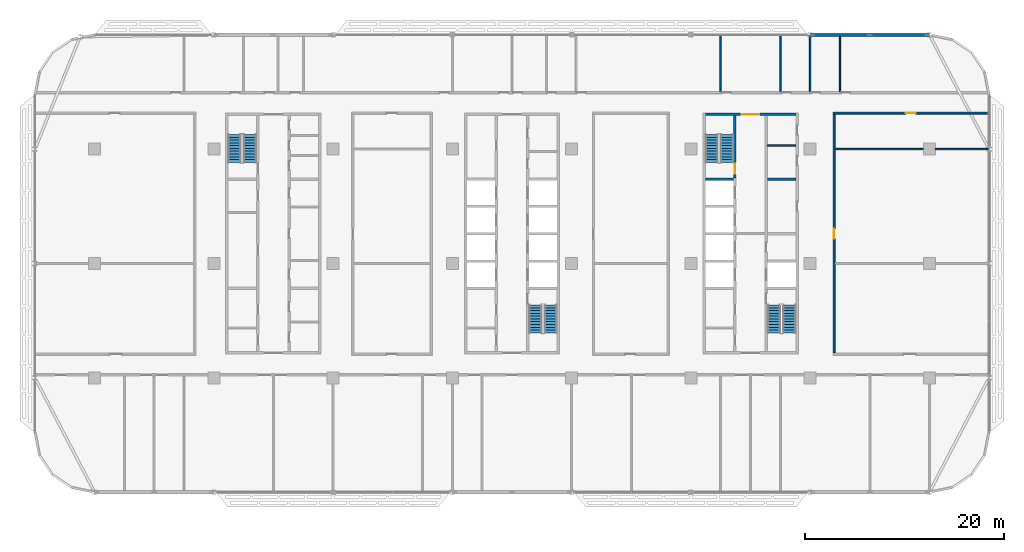
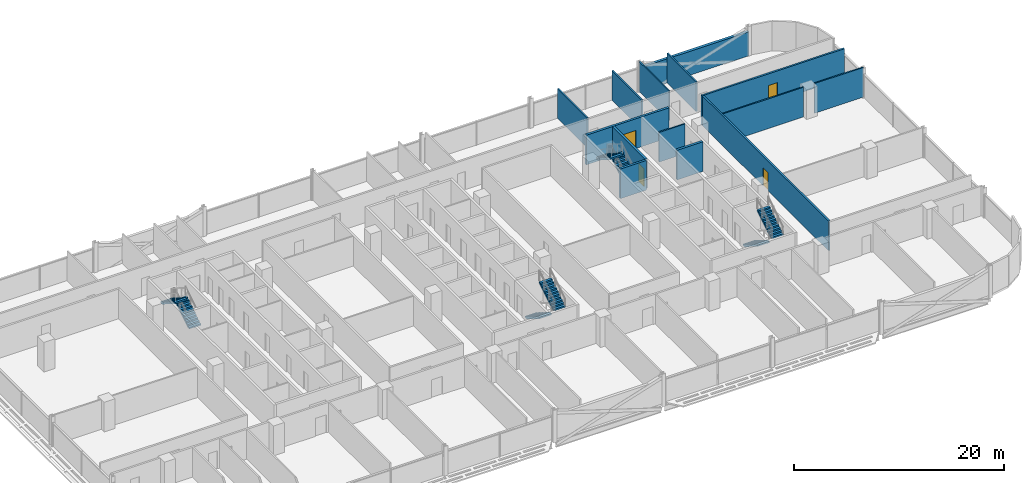
# One storey, part 16 of 27: 14 walls, 8 stair flights, 4 doors, 4 openings, 4 elements without a shape of their own.
"""IFC4 building model written with IfcOpenShell, lengths in metres."""

from ifc_helpers import new_model, si_unit, direction, frame, frame_2d, origin, place, context, subcontext, project, spatial, polyline, rectangle, outline, extrude, material, layer, layer_set, type_object, element, fill, aggregate, save


model = new_model("IFC4")

# Units and contexts
model_context = context("Model", 3, precision=1e-05, world=origin(), true_north=direction((0.0, 1.0)))
body_context = subcontext(model_context, "Body", "Model", "MODEL_VIEW")
ifc_project = project(units=[si_unit("LENGTHUNIT", "METRE"), si_unit("AREAUNIT", "SQUARE_METRE"), si_unit("VOLUMEUNIT", "CUBIC_METRE"), si_unit("PLANEANGLEUNIT", "RADIAN"), si_unit("MASSUNIT", "GRAM", prefix="KILO")], contexts=[model_context])

# Site, building, storey
site_placement = place(None, origin())
site = spatial("IfcSite", under=ifc_project, at=site_placement, CompositionType="ELEMENT")
building_placement = place(site_placement, origin())
building = spatial("IfcBuilding", under=site, at=building_placement, Name="Mahtab Terrace Research Tower", CompositionType="ELEMENT")
storey_placement = place(building_placement, frame((0.0, 0.0, 178.199951171875)))
storey = spatial("IfcBuildingStorey", under=building, at=storey_placement, Name="L42", CompositionType="ELEMENT", Elevation=178.199951171875)

# Wall
ifc_material_1 = material(Name="Gypsum board partition")
ifc_layer_1 = layer(ifc_material_1, 0.14990234375)
ifc_layer_set_1 = layer_set([ifc_layer_1], Name="Core partition 150")
wall_type_1 = type_object("IfcWallType", Name="Core partition 150", PredefinedType="PARTITIONING", material=ifc_layer_set_1)
wall_1_placement = place(storey_placement, frame((25.699951171875, 11.875, 0.0), z_axis=(0.0, 0.0, 1.0), x_axis=(1.0, 0.0, 0.0)))
element("IfcWall", 1, at=wall_1_placement, inside=storey, type_object=wall_type_1, Name="Core wall C pEN888", PredefinedType="PARTITIONING", context=body_context, shape_type="SweptSolid", body=[
    extrude(rectangle(XDim=2.85009765625, YDim=0.14990234375, at=frame_2d((1.425048828125, 0.0))), origin(), (0.0, 0.0, 1.0), 3.4599609375),
])

# Wall, opening, door
ifc_material_2 = material(Name="Concrete C70/85", Category="concrete")
ifc_layer_2 = layer(ifc_material_2, 0.25)
ifc_layer_set_2 = layer_set([ifc_layer_2], Name="Core wall 250")
wall_type_2 = type_object("IfcWallType", Name="Core wall 250", PredefinedType="SOLIDWALL", material=ifc_layer_set_2)
wall_2_placement = place(storey_placement, frame((19.449951171875, 15.0, 0.0), z_axis=(0.0, 0.0, 1.0), x_axis=(1.0, 0.0, 0.0)))
wall_2 = element("IfcWall", 2, at=wall_2_placement, inside=storey, type_object=wall_type_2, Name="Core wall C endN", PredefinedType="SOLIDWALL", context=body_context, shape_type="SweptSolid", body=[
    extrude(rectangle(XDim=9.10009765625, YDim=0.25, at=frame_2d((4.550048828125, 0.0))), origin(), (0.0, 0.0, 1.0), 3.4599609375),
])
opening_1_placement = place(wall_2_placement, frame((3.64990234375, 0.0, 0.0)))
opening_1 = element("IfcOpeningElement", 3, at=opening_1_placement, cuts=wall_2, Name="Opening C-N1", PredefinedType="OPENING", context=body_context, shape_type="SweptSolid", body=[
    extrude(rectangle(XDim=1.800048828125, YDim=2.10009765625, at=frame_2d((0.89990234375, 1.050048828125))), frame((0.0, 0.135009765625, 0.0), z_axis=(0.0, -1.0, 0.0), x_axis=(1.0, 0.0, 0.0)), (0.0, 0.0, 1.0), 0.27001953125),
])
ifc_material_3 = material(Name="Steel fire door", Category="steel")
door_type_1 = type_object("IfcDoorType", Name="Lobby double door 1800x2100 1 HR", OperationType="DOUBLE_DOOR_SINGLE_SWING", PredefinedType="DOOR", material=ifc_material_3)
door_1_placement = place(opening_1_placement, origin())
door_1 = element("IfcDoor", 4, at=door_1_placement, inside=storey, type_object=door_type_1, Name="Core entrance door C N", OperationType="DOUBLE_DOOR_SINGLE_SWING", OverallHeight=2.10009765625, OverallWidth=1.800048828125, PredefinedType="DOOR", context=body_context, shape_type="SweptSolid", body=[
    extrude(rectangle(XDim=1.800048828125, YDim=2.10009765625, at=frame_2d((0.89990234375, 1.050048828125))), frame((0.0, 0.02490234375, 0.0), z_axis=(0.0, -1.0, 0.0), x_axis=(1.0, 0.0, 0.0)), (0.0, 0.0, 1.0), 0.050048828125),
])
fill(opening_1, door_1)

wall_3_placement = place(storey_placement, frame((22.425048828125, 14.875, 0.0), z_axis=(0.0, 0.0, 1.0), x_axis=(0.0, -1.0, 0.0)))
wall_3 = element("IfcWall", 5, at=wall_3_placement, inside=storey, type_object=wall_type_2, Name="Core wall C innerWN", PredefinedType="SOLIDWALL", context=body_context, shape_type="SweptSolid", body=[
    extrude(rectangle(XDim=6.25, YDim=0.25, at=frame_2d((3.125, 0.0))), origin(), (0.0, 0.0, 1.0), 3.4599609375),
])
opening_2_placement = place(wall_3_placement, frame((4.85009765625, 0.0, 0.0)))
opening_2 = element("IfcOpeningElement", 6, at=opening_2_placement, cuts=wall_3, Name="Opening C-ST3", PredefinedType="OPENING", context=body_context, shape_type="SweptSolid", body=[
    extrude(rectangle(XDim=1.0, YDim=2.10009765625, at=frame_2d((0.5, 1.050048828125))), frame((0.0, 0.135009765625, 0.0), z_axis=(0.0, -1.0, 0.0), x_axis=(1.0, 0.0, 0.0)), (0.0, 0.0, 1.0), 0.27001953125),
])
door_type_2 = type_object("IfcDoorType", Name="Stair door 1000x2100 1.5 HR", OperationType="NOTDEFINED", PredefinedType="DOOR", material=ifc_material_3)
door_2_placement = place(opening_2_placement, origin())
door_2 = element("IfcDoor", 7, at=door_2_placement, inside=storey, type_object=door_type_2, Name="Stair door ST3 L42", OperationType="SINGLE_SWING_LEFT", OverallHeight=2.10009765625, OverallWidth=1.0, PredefinedType="DOOR", context=body_context, shape_type="SweptSolid", body=[
    extrude(rectangle(XDim=1.0, YDim=2.10009765625, at=frame_2d((0.5, 1.050048828125))), frame((0.0, 0.02490234375, 0.0), z_axis=(0.0, -1.0, 0.0), x_axis=(1.0, 0.0, 0.0)), (0.0, 0.0, 1.0), 0.050048828125),
])
fill(opening_2, door_2)

# Walls
for number, where, z_axis, x_axis, name in (
    (8, (19.449951171875, 8.5, 0.0), (0.0, 0.0, 1.0), (1.0, 0.0, 0.0), "Core wall C divW4"),
    (9, (25.699951171875, 8.5, 0.0), (0.0, 0.0, 1.0), (1.0, 0.0, 0.0), "Core wall C divE4"),
):
    element("IfcWall", number, at=place(storey_placement, frame(where, z_axis=z_axis, x_axis=x_axis)), inside=storey, type_object=wall_type_2, Name=name, PredefinedType="SOLIDWALL", context=body_context, shape_type="SweptSolid", body=[
        extrude(rectangle(XDim=2.85009765625, YDim=0.25, at=frame_2d((1.425048828125, 0.0))), origin(), (0.0, 0.0, 1.0), 3.4599609375),
    ])
ifc_material_4 = material(Name="Black aluminium cladding panel", Category="aluminium")
ifc_layer_3 = layer(ifc_material_4, 0.300048828125)
ifc_layer_set_3 = layer_set([ifc_layer_3], Name="Opaque facade wall 300")
wall_type_3 = type_object("IfcWallType", Name="Opaque facade wall 300", PredefinedType="NOTDEFINED", material=ifc_layer_set_3)
wall_4_placement = place(storey_placement, frame((41.985107421875, 23.0, 0.0), z_axis=(0.0, 0.0, 1.0), x_axis=(-1.0, 0.0, 0.0)))
element("IfcWall", 10, at=wall_4_placement, inside=storey, type_object=wall_type_3, Name="Opaque facade wall L42 N3", PredefinedType="NOTDEFINED", context=body_context, shape_type="SweptSolid", body=[
    extrude(rectangle(XDim=11.97021484375, YDim=0.300048828125, at=frame_2d((5.985107421875, 0.0))), origin(), (0.0, 0.0, 1.0), 2.78173828125),
])

# Wall, opening, door
ifc_material_5 = material(Name="Gypsum board corridor wall on steel studs", Category="steel")
ifc_layer_4 = layer(ifc_material_5, 0.199951171875)
ifc_layer_set_4 = layer_set([ifc_layer_4], Name="WALL CORRIDOR 200")
wall_type_4 = type_object("IfcWallType", Name="WALL CORRIDOR 200", PredefinedType="PARTITIONING", material=ifc_layer_set_4)
wall_5_placement = place(storey_placement, frame((32.300048828125, 15.125, 0.0), z_axis=(0.0, 0.0, 1.0), x_axis=(1.0, 0.0, 0.0)))
wall_5 = element("IfcWall", 11, at=wall_5_placement, inside=storey, type_object=wall_type_4, Name="L42-W026", PredefinedType="PARTITIONING", context=body_context, shape_type="SweptSolid", body=[
    extrude(rectangle(XDim=15.675048828125, YDim=0.199951171875, at=frame_2d((7.83740234375, 0.0))), origin(), (0.0, 0.0, 1.0), 3.4599609375),
])
opening_3_placement = place(wall_5_placement, frame((7.300048828125, 0.0, 0.0)))
opening_3 = element("IfcOpeningElement", 12, at=opening_3_placement, cuts=wall_5, Name="Opening L42-126", PredefinedType="OPENING", context=body_context, shape_type="SweptSolid", body=[
    extrude(rectangle(XDim=1.0, YDim=2.10009765625, at=frame_2d((0.5, 1.050048828125))), frame((0.0, 0.10986328125, 0.0), z_axis=(0.0, -1.0, 0.0), x_axis=(1.0, 0.0, 0.0)), (0.0, 0.0, 1.0), 0.219970703125),
])
ifc_material_6 = material(Name="Timber door leaf in steel frame", Category="steel")
door_type_3 = type_object("IfcDoorType", Name="DOOR 1000X2100 FD30S", OperationType="SINGLE_SWING_LEFT", PredefinedType="DOOR", material=ifc_material_6)
door_3_placement = place(opening_3_placement, origin())
door_3 = element("IfcDoor", 13, at=door_3_placement, inside=storey, type_object=door_type_3, Name="Door L42-126", OperationType="SINGLE_SWING_LEFT", OverallHeight=2.10009765625, OverallWidth=1.0, PredefinedType="DOOR", context=body_context, shape_type="SweptSolid", body=[
    extrude(rectangle(XDim=1.0, YDim=2.10009765625, at=frame_2d((0.5, 1.050048828125))), frame((0.0, 0.02490234375, 0.0), z_axis=(0.0, -1.0, 0.0), x_axis=(1.0, 0.0, 0.0)), (0.0, 0.0, 1.0), 0.050048828125),
])
fill(opening_3, door_3)

wall_6_placement = place(storey_placement, frame((32.39990234375, -9.02490234375, 0.0), z_axis=(0.0, 0.0, 1.0), x_axis=(0.0, 1.0, 0.0)))
wall_6 = element("IfcWall", 14, at=wall_6_placement, inside=storey, type_object=wall_type_4, Name="L42-W057", PredefinedType="PARTITIONING", context=body_context, shape_type="SweptSolid", body=[
    extrude(rectangle(XDim=24.0498046875, YDim=0.199951171875, at=frame_2d((12.02490234375, 0.0))), origin(), (0.0, 0.0, 1.0), 3.4599609375),
])
opening_4_placement = place(wall_6_placement, frame((11.5, 0.0, 0.0)))
opening_4 = element("IfcOpeningElement", 15, at=opening_4_placement, cuts=wall_6, Name="Opening L42-122", PredefinedType="OPENING", context=body_context, shape_type="SweptSolid", body=[
    extrude(rectangle(XDim=1.0, YDim=2.10009765625, at=frame_2d((0.5, 1.050048828125))), frame((0.0, 0.10986328125, 0.0), z_axis=(0.0, -1.0, 0.0), x_axis=(1.0, 0.0, 0.0)), (0.0, 0.0, 1.0), 0.219970703125),
])
door_4_placement = place(opening_4_placement, origin())
door_4 = element("IfcDoor", 16, at=door_4_placement, inside=storey, type_object=door_type_3, Name="Door L42-122", OperationType="SINGLE_SWING_RIGHT", OverallHeight=2.10009765625, OverallWidth=1.0, PredefinedType="DOOR", context=body_context, shape_type="SweptSolid", body=[
    extrude(rectangle(XDim=1.0, YDim=2.10009765625, at=frame_2d((0.5, 1.050048828125))), frame((0.0, 0.02490234375, 0.0), z_axis=(0.0, -1.0, 0.0), x_axis=(1.0, 0.0, 0.0)), (0.0, 0.0, 1.0), 0.050048828125),
])
fill(opening_4, door_4)

# Walls
ifc_material_7 = material(Name="Gypsum board partition on steel studs", Category="steel")
ifc_layer_5 = layer(ifc_material_7, 0.14990234375)
ifc_layer_set_5 = layer_set([ifc_layer_5], Name="WALL PARTITION 150")
wall_type_5 = type_object("IfcWallType", Name="WALL PARTITION 150", PredefinedType="PARTITIONING", material=ifc_layer_set_5)
wall_7_placement = place(storey_placement, frame((32.5, 11.5, 0.0), z_axis=(0.0, 0.0, 1.0), x_axis=(1.0, 0.0, 0.0)))
element("IfcWall", 17, at=wall_7_placement, inside=storey, type_object=wall_type_5, Name="L42-W021", PredefinedType="PARTITIONING", context=body_context, shape_type="SweptSolid", body=[
    extrude(rectangle(XDim=8.89990234375, YDim=0.14990234375, at=frame_2d((4.449951171875, 0.0))), origin(), (0.0, 0.0, 1.0), 3.4599609375),
])
wall_8_placement = place(storey_placement, frame((42.60009765625, 11.5, 0.0), z_axis=(0.0, 0.0, 1.0), x_axis=(1.0, 0.0, 0.0)))
element("IfcWall", 18, at=wall_8_placement, inside=storey, type_object=wall_type_5, Name="L42-W022", PredefinedType="PARTITIONING", context=body_context, shape_type="SweptSolid", body=[
    extrude(rectangle(XDim=5.375, YDim=0.14990234375, at=frame_2d((2.6875, 0.0))), origin(), (0.0, 0.0, 1.0), 3.4599609375),
])
for number, where, z_axis, x_axis, name in (
    (19, (21.0, 17.300048828125, 0.0), (0.0, 0.0, 1.0), (0.0, 1.0, 0.0), "L42-W052"),
    (20, (27.0, 17.300048828125, 0.0), (0.0, 0.0, 1.0), (0.0, 1.0, 0.0), "L42-W055"),
    (21, (30.0, 17.300048828125, 0.0), (0.0, 0.0, 1.0), (0.0, 1.0, 0.0), "L42-W056"),
):
    element("IfcWall", number, at=place(storey_placement, frame(where, z_axis=z_axis, x_axis=x_axis)), inside=storey, type_object=wall_type_5, Name=name, PredefinedType="PARTITIONING", context=body_context, shape_type="SweptSolid", body=[
        extrude(rectangle(XDim=5.675048828125, YDim=0.14990234375, at=frame_2d((2.83740234375, 0.0))), origin(), (0.0, 0.0, 1.0), 3.4599609375),
    ])
wall_9_placement = place(storey_placement, frame((33.0, 17.300048828125, 0.0), z_axis=(0.0, 0.0, 1.0), x_axis=(0.0, 1.0, 0.0)))
element("IfcWall", 22, at=wall_9_placement, inside=storey, type_object=wall_type_5, Name="L42-W058", PredefinedType="PARTITIONING", context=body_context, shape_type="SweptSolid", body=[
    extrude(rectangle(XDim=5.550048828125, YDim=0.14990234375, at=frame_2d((2.77490234375, 0.0))), origin(), (0.0, 0.0, 1.0), 3.4599609375),
])

# Stair, stair flights
ifc_material_8 = material(Name="Exit stair half-turn")
stair_type = type_object("IfcStairType", Name="Exit stair half-turn", PredefinedType="HALF_TURN_STAIR", material=ifc_material_8)
stair_1_placement = place(storey_placement, origin())
stair_1 = element("IfcStair", 23, at=stair_1_placement, inside=storey, type_object=stair_type, Name="L42 Protected exit stair ST1", PredefinedType="HALF_TURN_STAIR")
ifc_material_9 = material(Name="Concrete C40/50", Category="concrete")
stair_flight_type = type_object("IfcStairFlightType", Name="Exit stair flight 1300", PredefinedType="STRAIGHT", material=ifc_material_9)
stair_flight_1_placement = place(storey_placement, frame((-26.35009765625, 10.175048828125, 0.0), z_axis=(0.0, 0.0, 1.0), x_axis=(0.0, 1.0, 0.0)))
stair_flight_1 = element("IfcStairFlight", 24, at=stair_flight_1_placement, type_object=stair_flight_type, Name="ST1 flight 1", NumberOfRisers=11, NumberOfTreads=10, PredefinedType="STRAIGHT", RiserHeight=0.172727273, TreadLength=0.28, context=body_context, shape_type="SweptSolid", body=[
    extrude(outline(polyline([(0.0, 0.0), (0.0, 0.172607421875), (0.280029296875, 0.172607421875), (0.280029296875, 0.345458984375), (0.56005859375, 0.345458984375), (0.56005859375, 0.51806640625), (0.840087890625, 0.51806640625), (0.840087890625, 0.69091796875), (1.1201171875, 0.69091796875), (1.1201171875, 0.863525390625), (1.39990234375, 0.863525390625), (1.39990234375, 1.036376953125), (1.679931640625, 1.036376953125), (1.679931640625, 1.208984375), (1.9599609375, 1.208984375), (1.9599609375, 1.3818359375), (2.239990234375, 1.3818359375), (2.239990234375, 1.554443359375), (2.52001953125, 1.554443359375), (2.52001953125, 1.727294921875), (2.800048828125, 1.727294921875), (2.800048828125, 1.89990234375), (2.800048828125, 1.551025390625), (0.285400390625, 0.0), (0.0, 0.0)])), frame((0.0, 0.64990234375, 0.0), z_axis=(0.0, -1.0, 0.0), x_axis=(1.0, 0.0, 0.0)), (0.0, 0.0, 1.0), 1.300048828125),
])
stair_flight_2_placement = place(storey_placement, frame((-27.89990234375, 12.97509765625, 1.900146484375), z_axis=(0.0, 0.0, 1.0), x_axis=(0.0, -1.0, 0.0)))
stair_flight_2 = element("IfcStairFlight", 25, at=stair_flight_2_placement, type_object=stair_flight_type, Name="ST1 flight 2", NumberOfRisers=11, NumberOfTreads=10, PredefinedType="STRAIGHT", RiserHeight=0.172727273, TreadLength=0.28, context=body_context, shape_type="SweptSolid", body=[
    extrude(outline(polyline([(0.0, 0.0), (0.0, 0.172607421875), (0.280029296875, 0.172607421875), (0.280029296875, 0.345458984375), (0.56005859375, 0.345458984375), (0.56005859375, 0.51806640625), (0.840087890625, 0.51806640625), (0.840087890625, 0.69091796875), (1.1201171875, 0.69091796875), (1.1201171875, 0.863525390625), (1.39990234375, 0.863525390625), (1.39990234375, 1.036376953125), (1.679931640625, 1.036376953125), (1.679931640625, 1.208984375), (1.9599609375, 1.208984375), (1.9599609375, 1.3818359375), (2.239990234375, 1.3818359375), (2.239990234375, 1.554443359375), (2.52001953125, 1.554443359375), (2.52001953125, 1.727294921875), (2.800048828125, 1.727294921875), (2.800048828125, 1.89990234375), (2.800048828125, 1.551025390625), (0.285400390625, 0.0), (0.0, 0.0)])), frame((0.0, 0.64990234375, 0.0), z_axis=(0.0, -1.0, 0.0), x_axis=(1.0, 0.0, 0.0)), (0.0, 0.0, 1.0), 1.300048828125),
])
aggregate(stair_1, [stair_flight_1, stair_flight_2])

stair_2_placement = place(storey_placement, origin())
stair_2 = element("IfcStair", 26, at=stair_2_placement, inside=storey, type_object=stair_type, Name="L42 Protected exit stair ST2", PredefinedType="HALF_TURN_STAIR")
stair_flight_3_placement = place(storey_placement, frame((2.35009765625, -4.175048828125, 0.0), z_axis=(0.0, 0.0, 1.0), x_axis=(0.0, -1.0, 0.0)))
stair_flight_3 = element("IfcStairFlight", 27, at=stair_flight_3_placement, type_object=stair_flight_type, Name="ST2 flight 1", NumberOfRisers=11, NumberOfTreads=10, PredefinedType="STRAIGHT", RiserHeight=0.172727273, TreadLength=0.28, context=body_context, shape_type="SweptSolid", body=[
    extrude(outline(polyline([(0.0, 0.0), (0.0, 0.172607421875), (0.280029296875, 0.172607421875), (0.280029296875, 0.345458984375), (0.56005859375, 0.345458984375), (0.56005859375, 0.51806640625), (0.840087890625, 0.51806640625), (0.840087890625, 0.69091796875), (1.1201171875, 0.69091796875), (1.1201171875, 0.863525390625), (1.39990234375, 0.863525390625), (1.39990234375, 1.036376953125), (1.679931640625, 1.036376953125), (1.679931640625, 1.208984375), (1.9599609375, 1.208984375), (1.9599609375, 1.3818359375), (2.239990234375, 1.3818359375), (2.239990234375, 1.554443359375), (2.52001953125, 1.554443359375), (2.52001953125, 1.727294921875), (2.800048828125, 1.727294921875), (2.800048828125, 1.89990234375), (2.800048828125, 1.551025390625), (0.285400390625, 0.0), (0.0, 0.0)])), frame((0.0, 0.64990234375, 0.0), z_axis=(0.0, -1.0, 0.0), x_axis=(1.0, 0.0, 0.0)), (0.0, 0.0, 1.0), 1.300048828125),
])
stair_flight_4_placement = place(storey_placement, frame((3.89990234375, -6.97509765625, 1.900146484375), z_axis=(0.0, 0.0, 1.0), x_axis=(0.0, 1.0, 0.0)))
stair_flight_4 = element("IfcStairFlight", 28, at=stair_flight_4_placement, type_object=stair_flight_type, Name="ST2 flight 2", NumberOfRisers=11, NumberOfTreads=10, PredefinedType="STRAIGHT", RiserHeight=0.172727273, TreadLength=0.28, context=body_context, shape_type="SweptSolid", body=[
    extrude(outline(polyline([(0.0, 0.0), (0.0, 0.172607421875), (0.280029296875, 0.172607421875), (0.280029296875, 0.345458984375), (0.56005859375, 0.345458984375), (0.56005859375, 0.51806640625), (0.840087890625, 0.51806640625), (0.840087890625, 0.69091796875), (1.1201171875, 0.69091796875), (1.1201171875, 0.863525390625), (1.39990234375, 0.863525390625), (1.39990234375, 1.036376953125), (1.679931640625, 1.036376953125), (1.679931640625, 1.208984375), (1.9599609375, 1.208984375), (1.9599609375, 1.3818359375), (2.239990234375, 1.3818359375), (2.239990234375, 1.554443359375), (2.52001953125, 1.554443359375), (2.52001953125, 1.727294921875), (2.800048828125, 1.727294921875), (2.800048828125, 1.89990234375), (2.800048828125, 1.551025390625), (0.285400390625, 0.0), (0.0, 0.0)])), frame((0.0, 0.64990234375, 0.0), z_axis=(0.0, -1.0, 0.0), x_axis=(1.0, 0.0, 0.0)), (0.0, 0.0, 1.0), 1.300048828125),
])
aggregate(stair_2, [stair_flight_3, stair_flight_4])

stair_3_placement = place(storey_placement, origin())
stair_3 = element("IfcStair", 29, at=stair_3_placement, inside=storey, type_object=stair_type, Name="L42 Protected exit stair ST3", PredefinedType="HALF_TURN_STAIR")
stair_flight_5_placement = place(storey_placement, frame((21.64990234375, 10.175048828125, 0.0), z_axis=(0.0, 0.0, 1.0), x_axis=(0.0, 1.0, 0.0)))
stair_flight_5 = element("IfcStairFlight", 30, at=stair_flight_5_placement, type_object=stair_flight_type, Name="ST3 flight 1", NumberOfRisers=11, NumberOfTreads=10, PredefinedType="STRAIGHT", RiserHeight=0.172727273, TreadLength=0.28, context=body_context, shape_type="SweptSolid", body=[
    extrude(outline(polyline([(0.0, 0.0), (0.0, 0.172607421875), (0.280029296875, 0.172607421875), (0.280029296875, 0.345458984375), (0.56005859375, 0.345458984375), (0.56005859375, 0.51806640625), (0.840087890625, 0.51806640625), (0.840087890625, 0.69091796875), (1.1201171875, 0.69091796875), (1.1201171875, 0.863525390625), (1.39990234375, 0.863525390625), (1.39990234375, 1.036376953125), (1.679931640625, 1.036376953125), (1.679931640625, 1.208984375), (1.9599609375, 1.208984375), (1.9599609375, 1.3818359375), (2.239990234375, 1.3818359375), (2.239990234375, 1.554443359375), (2.52001953125, 1.554443359375), (2.52001953125, 1.727294921875), (2.800048828125, 1.727294921875), (2.800048828125, 1.89990234375), (2.800048828125, 1.551025390625), (0.285400390625, 0.0), (0.0, 0.0)])), frame((0.0, 0.64990234375, 0.0), z_axis=(0.0, -1.0, 0.0), x_axis=(1.0, 0.0, 0.0)), (0.0, 0.0, 1.0), 1.300048828125),
])
stair_flight_6_placement = place(storey_placement, frame((20.10009765625, 12.97509765625, 1.900146484375), z_axis=(0.0, 0.0, 1.0), x_axis=(0.0, -1.0, 0.0)))
stair_flight_6 = element("IfcStairFlight", 31, at=stair_flight_6_placement, type_object=stair_flight_type, Name="ST3 flight 2", NumberOfRisers=11, NumberOfTreads=10, PredefinedType="STRAIGHT", RiserHeight=0.172727273, TreadLength=0.28, context=body_context, shape_type="SweptSolid", body=[
    extrude(outline(polyline([(0.0, 0.0), (0.0, 0.172607421875), (0.280029296875, 0.172607421875), (0.280029296875, 0.345458984375), (0.56005859375, 0.345458984375), (0.56005859375, 0.51806640625), (0.840087890625, 0.51806640625), (0.840087890625, 0.69091796875), (1.1201171875, 0.69091796875), (1.1201171875, 0.863525390625), (1.39990234375, 0.863525390625), (1.39990234375, 1.036376953125), (1.679931640625, 1.036376953125), (1.679931640625, 1.208984375), (1.9599609375, 1.208984375), (1.9599609375, 1.3818359375), (2.239990234375, 1.3818359375), (2.239990234375, 1.554443359375), (2.52001953125, 1.554443359375), (2.52001953125, 1.727294921875), (2.800048828125, 1.727294921875), (2.800048828125, 1.89990234375), (2.800048828125, 1.551025390625), (0.285400390625, 0.0), (0.0, 0.0)])), frame((0.0, 0.64990234375, 0.0), z_axis=(0.0, -1.0, 0.0), x_axis=(1.0, 0.0, 0.0)), (0.0, 0.0, 1.0), 1.300048828125),
])
aggregate(stair_3, [stair_flight_5, stair_flight_6])

stair_4_placement = place(storey_placement, origin())
stair_4 = element("IfcStair", 32, at=stair_4_placement, inside=storey, type_object=stair_type, Name="L42 Protected exit stair ST4", PredefinedType="HALF_TURN_STAIR")
stair_flight_7_placement = place(storey_placement, frame((26.35009765625, -4.175048828125, 0.0), z_axis=(0.0, 0.0, 1.0), x_axis=(0.0, -1.0, 0.0)))
stair_flight_7 = element("IfcStairFlight", 33, at=stair_flight_7_placement, type_object=stair_flight_type, Name="ST4 flight 1", NumberOfRisers=11, NumberOfTreads=10, PredefinedType="STRAIGHT", RiserHeight=0.172727273, TreadLength=0.28, context=body_context, shape_type="SweptSolid", body=[
    extrude(outline(polyline([(0.0, 0.0), (0.0, 0.172607421875), (0.280029296875, 0.172607421875), (0.280029296875, 0.345458984375), (0.56005859375, 0.345458984375), (0.56005859375, 0.51806640625), (0.840087890625, 0.51806640625), (0.840087890625, 0.69091796875), (1.1201171875, 0.69091796875), (1.1201171875, 0.863525390625), (1.39990234375, 0.863525390625), (1.39990234375, 1.036376953125), (1.679931640625, 1.036376953125), (1.679931640625, 1.208984375), (1.9599609375, 1.208984375), (1.9599609375, 1.3818359375), (2.239990234375, 1.3818359375), (2.239990234375, 1.554443359375), (2.52001953125, 1.554443359375), (2.52001953125, 1.727294921875), (2.800048828125, 1.727294921875), (2.800048828125, 1.89990234375), (2.800048828125, 1.551025390625), (0.285400390625, 0.0), (0.0, 0.0)])), frame((0.0, 0.64990234375, 0.0), z_axis=(0.0, -1.0, 0.0), x_axis=(1.0, 0.0, 0.0)), (0.0, 0.0, 1.0), 1.300048828125),
])
stair_flight_8_placement = place(storey_placement, frame((27.89990234375, -6.97509765625, 1.900146484375), z_axis=(0.0, 0.0, 1.0), x_axis=(0.0, 1.0, 0.0)))
stair_flight_8 = element("IfcStairFlight", 34, at=stair_flight_8_placement, type_object=stair_flight_type, Name="ST4 flight 2", NumberOfRisers=11, NumberOfTreads=10, PredefinedType="STRAIGHT", RiserHeight=0.172727273, TreadLength=0.28, context=body_context, shape_type="SweptSolid", body=[
    extrude(outline(polyline([(0.0, 0.0), (0.0, 0.172607421875), (0.280029296875, 0.172607421875), (0.280029296875, 0.345458984375), (0.56005859375, 0.345458984375), (0.56005859375, 0.51806640625), (0.840087890625, 0.51806640625), (0.840087890625, 0.69091796875), (1.1201171875, 0.69091796875), (1.1201171875, 0.863525390625), (1.39990234375, 0.863525390625), (1.39990234375, 1.036376953125), (1.679931640625, 1.036376953125), (1.679931640625, 1.208984375), (1.9599609375, 1.208984375), (1.9599609375, 1.3818359375), (2.239990234375, 1.3818359375), (2.239990234375, 1.554443359375), (2.52001953125, 1.554443359375), (2.52001953125, 1.727294921875), (2.800048828125, 1.727294921875), (2.800048828125, 1.89990234375), (2.800048828125, 1.551025390625), (0.285400390625, 0.0), (0.0, 0.0)])), frame((0.0, 0.64990234375, 0.0), z_axis=(0.0, -1.0, 0.0), x_axis=(1.0, 0.0, 0.0)), (0.0, 0.0, 1.0), 1.300048828125),
])
aggregate(stair_4, [stair_flight_7, stair_flight_8])

save(model, "model.ifc")
